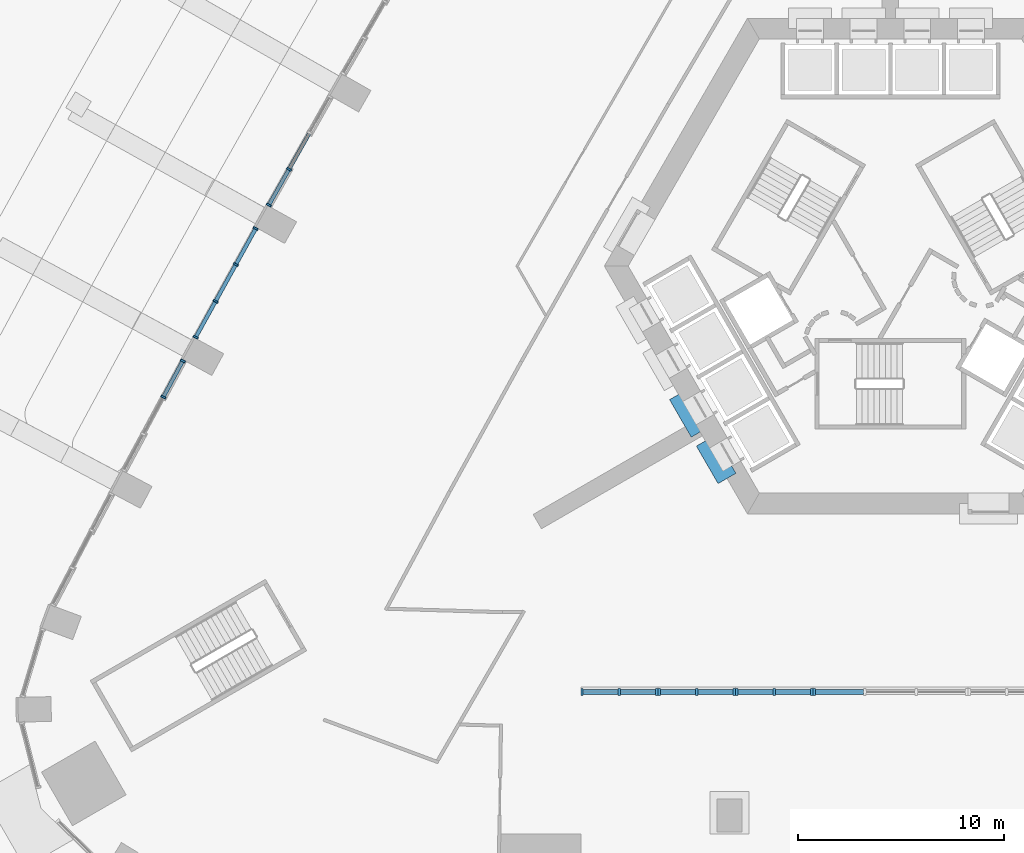
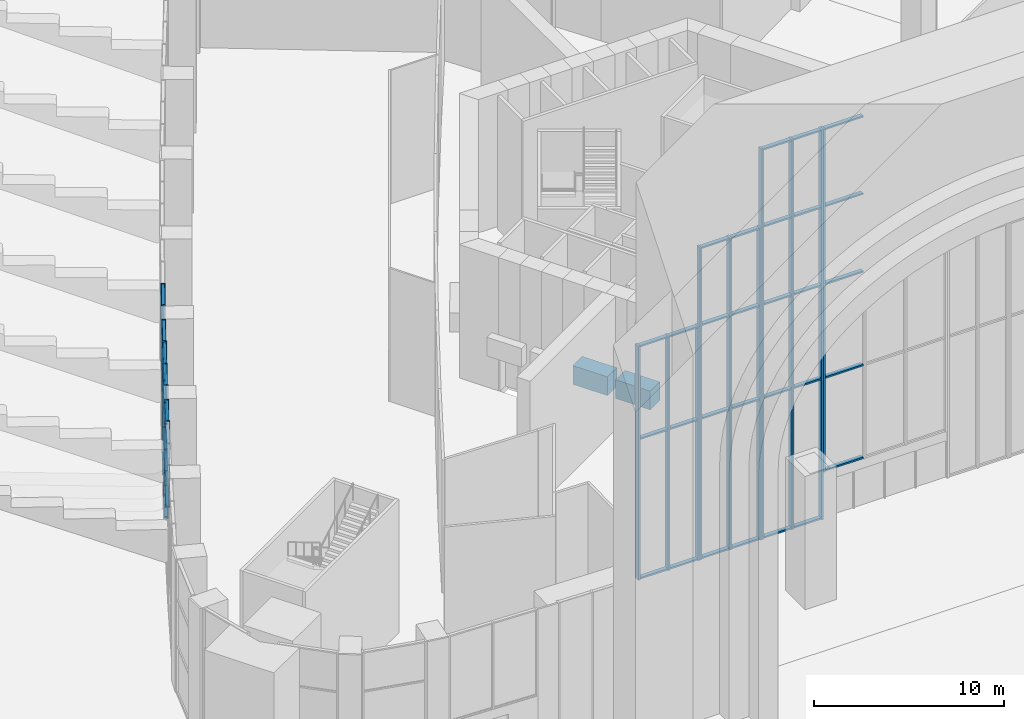
# One storey, part 3 of 36: 64 members, 2 beams, 7 elements without a shape of their own.
"""IFC4 building model written with IfcOpenShell, lengths in metres."""

from ifc_helpers import new_model, si_unit, direction, frame, origin, origin_2d, place, context, subcontext, project, spatial, rectangle, extrude, material, material_profile, profile_set, type_object, element, aggregate, save


model = new_model("IFC4")

# Units and contexts
model_context = context("Model", 3, precision=1e-05, world=origin(), true_north=direction((0.0, 1.0)))
body_context = subcontext(model_context, "Body", "Model", "MODEL_VIEW")
ifc_project = project(units=[si_unit("LENGTHUNIT", "METRE"), si_unit("AREAUNIT", "SQUARE_METRE"), si_unit("VOLUMEUNIT", "CUBIC_METRE"), si_unit("PLANEANGLEUNIT", "RADIAN"), si_unit("MASSUNIT", "GRAM", prefix="KILO")], contexts=[model_context])

# Site, building, storey
site_placement = place(None, origin())
site = spatial("IfcSite", under=ifc_project, at=site_placement, CompositionType="ELEMENT")
building_placement = place(site_placement, origin())
building = spatial("IfcBuilding", under=site, at=building_placement, Name="Entoto Arch Interchange Tower", CompositionType="ELEMENT")
storey_placement = place(building_placement, origin())
storey = spatial("IfcBuildingStorey", under=building, at=storey_placement, Name="L00", CompositionType="ELEMENT", Elevation=0.0)

# Beams
ifc_material_1 = material(Name="Concrete C60/75", Category="concrete")
ifc_material_profile_1 = material_profile(ifc_material_1, rectangle(XDim=1.0, YDim=1.199951171875, at=origin_2d()))
ifc_profile_set_1 = profile_set([ifc_material_profile_1], Name="Concrete C60/75")
beam_type = type_object("IfcBeamType", Name="Coupling beam RC 1000x1200 C60/75", PredefinedType="BEAM", material=ifc_profile_set_1)
for number, where, z_axis, x_axis, name in (
    (1, (-10.26708984375, -3.717041015625, 3.0), (0.500178781653, -0.865922159541, 0.0), (0.865922159541, 0.500178781653, 0.0), "Coupling beam SW L00"),
    (2, (-8.967041015625, -5.968017578125, 3.0), (0.500178781653, -0.865922159541, 0.0), (0.865922159541, 0.500178781653, 0.0), "Coupling beam SW L00"),
):
    element("IfcBeam", number, at=place(storey_placement, frame(where, z_axis=z_axis, x_axis=x_axis)), inside=storey, type_object=beam_type, Name=name, PredefinedType="BEAM", context=body_context, shape_type="SweptSolid", body=[
        extrude(rectangle(XDim=1.0, YDim=1.199951171875, at=origin_2d()), origin(), (0.0, 0.0, 1.0), 2.099365234375),
    ])

# Curtain wall, members
ifc_material_2 = material(Name="Aluminium, anodised", Category="aluminium")
curtain_wall_type_1 = type_object("IfcCurtainWallType", Name="CURTAIN WALL ARCH SCREEN", PredefinedType="NOTDEFINED", material=ifc_material_2)
curtain_wall_1_placement = place(storey_placement, origin())
curtain_wall_1 = element("IfcCurtainWall", 3, at=curtain_wall_1_placement, inside=storey, type_object=curtain_wall_type_1, Name="Arch screen glazing 1", PredefinedType="NOTDEFINED")
ifc_material_profile_2 = material_profile(ifc_material_2, rectangle(XDim=0.35009765625, YDim=0.1201171875, at=origin_2d()))
ifc_profile_set_2 = profile_set([ifc_material_profile_2], Name="Aluminium, anodised")
member_type_1 = type_object("IfcMemberType", Name="MULLION ARCH SCREEN 120x350", PredefinedType="MULLION", material=ifc_profile_set_2)
member_1_placement = place(storey_placement, frame((-14.93994140625, -18.125, 0.0), z_axis=(0.0, 0.0, 1.0), x_axis=(0.0, 1.0, 0.0)))
member_1 = element("IfcMember", 4, at=member_1_placement, type_object=member_type_1, Name="CWR mullion 1", PredefinedType="MULLION", context=body_context, shape_type="SweptSolid", body=[
    extrude(rectangle(XDim=0.35009765625, YDim=0.1201171875, at=origin_2d()), origin(), (0.0, 0.0, 1.0), 15.0),
])
member_2_placement = place(storey_placement, frame((-13.125, -18.125, 0.0), z_axis=(0.0, 0.0, 1.0), x_axis=(0.0, 1.0, 0.0)))
member_2 = element("IfcMember", 5, at=member_2_placement, type_object=member_type_1, Name="CWR mullion 2", PredefinedType="MULLION", context=body_context, shape_type="SweptSolid", body=[
    extrude(rectangle(XDim=0.35009765625, YDim=0.1201171875, at=origin_2d()), origin(), (0.0, 0.0, 1.0), 15.0),
])
member_3_placement = place(storey_placement, frame((-11.31005859375, -18.125, 0.0), z_axis=(0.0, 0.0, 1.0), x_axis=(0.0, 1.0, 0.0)))
member_3 = element("IfcMember", 6, at=member_3_placement, type_object=member_type_1, Name="CWR mullion 3", PredefinedType="MULLION", context=body_context, shape_type="SweptSolid", body=[
    extrude(rectangle(XDim=0.35009765625, YDim=0.1201171875, at=origin_2d()), origin(), (0.0, 0.0, 1.0), 15.0),
])

curtain_wall_2_placement = place(storey_placement, origin())
curtain_wall_2 = element("IfcCurtainWall", 7, at=curtain_wall_2_placement, inside=storey, type_object=curtain_wall_type_1, Name="Arch screen glazing 2", PredefinedType="NOTDEFINED")
member_4_placement = place(storey_placement, frame((-11.18994140625, -18.125, 0.0), z_axis=(0.0, 0.0, 1.0), x_axis=(0.0, 1.0, 0.0)))
member_4 = element("IfcMember", 8, at=member_4_placement, type_object=member_type_1, Name="CWR mullion 1", PredefinedType="MULLION", context=body_context, shape_type="SweptSolid", body=[
    extrude(rectangle(XDim=0.35009765625, YDim=0.1201171875, at=origin_2d()), origin(), (0.0, 0.0, 1.0), 20.0),
])
member_5_placement = place(storey_placement, frame((-9.375, -18.125, 0.0), z_axis=(0.0, 0.0, 1.0), x_axis=(0.0, 1.0, 0.0)))
member_5 = element("IfcMember", 9, at=member_5_placement, type_object=member_type_1, Name="CWR mullion 2", PredefinedType="MULLION", context=body_context, shape_type="SweptSolid", body=[
    extrude(rectangle(XDim=0.35009765625, YDim=0.1201171875, at=origin_2d()), origin(), (0.0, 0.0, 1.0), 20.0),
])
member_6_placement = place(storey_placement, frame((-7.56005859375, -18.125, 0.0), z_axis=(0.0, 0.0, 1.0), x_axis=(0.0, 1.0, 0.0)))
member_6 = element("IfcMember", 10, at=member_6_placement, type_object=member_type_1, Name="CWR mullion 3", PredefinedType="MULLION", context=body_context, shape_type="SweptSolid", body=[
    extrude(rectangle(XDim=0.35009765625, YDim=0.1201171875, at=origin_2d()), origin(), (0.0, 0.0, 1.0), 20.0),
])

curtain_wall_3_placement = place(storey_placement, origin())
curtain_wall_3 = element("IfcCurtainWall", 11, at=curtain_wall_3_placement, inside=storey, type_object=curtain_wall_type_1, Name="Arch screen glazing 3", PredefinedType="NOTDEFINED")
member_7_placement = place(storey_placement, frame((-7.43994140625, -18.125, 0.0), z_axis=(0.0, 0.0, 1.0), x_axis=(0.0, 1.0, 0.0)))
member_7 = element("IfcMember", 12, at=member_7_placement, type_object=member_type_1, Name="CWR mullion 1", PredefinedType="MULLION", context=body_context, shape_type="SweptSolid", body=[
    extrude(rectangle(XDim=0.35009765625, YDim=0.1201171875, at=origin_2d()), origin(), (0.0, 0.0, 1.0), 25.0),
])
member_8_placement = place(storey_placement, frame((-5.625, -18.125, 0.0), z_axis=(0.0, 0.0, 1.0), x_axis=(0.0, 1.0, 0.0)))
member_8 = element("IfcMember", 13, at=member_8_placement, type_object=member_type_1, Name="CWR mullion 2", PredefinedType="MULLION", context=body_context, shape_type="SweptSolid", body=[
    extrude(rectangle(XDim=0.35009765625, YDim=0.1201171875, at=origin_2d()), origin(), (0.0, 0.0, 1.0), 25.0),
])
member_9_placement = place(storey_placement, frame((-3.81005859375, -18.125, 0.0), z_axis=(0.0, 0.0, 1.0), x_axis=(0.0, 1.0, 0.0)))
member_9 = element("IfcMember", 14, at=member_9_placement, type_object=member_type_1, Name="CWR mullion 3", PredefinedType="MULLION", context=body_context, shape_type="SweptSolid", body=[
    extrude(rectangle(XDim=0.35009765625, YDim=0.1201171875, at=origin_2d()), origin(), (0.0, 0.0, 1.0), 25.0),
])

# Curtain wall, member
curtain_wall_4_placement = place(storey_placement, origin())
curtain_wall_4 = element("IfcCurtainWall", 15, at=curtain_wall_4_placement, inside=storey, type_object=curtain_wall_type_1, Name="Arch entrance glazing", PredefinedType="NOTDEFINED")
member_10_placement = place(storey_placement, frame((-3.68994140625, -18.125, 3.0), z_axis=(0.0, 0.0, 1.0), x_axis=(0.0, 1.0, 0.0)))
member_10 = element("IfcMember", 16, at=member_10_placement, type_object=member_type_1, Name="CWR mullion 1", PredefinedType="MULLION", context=body_context, shape_type="SweptSolid", body=[
    extrude(rectangle(XDim=0.35009765625, YDim=0.1201171875, at=origin_2d()), origin(), (0.0, 0.0, 1.0), 22.0),
])

# Curtain wall, members
curtain_wall_type_2 = type_object("IfcCurtainWallType", Name="CURTAIN WALL GATE HALL", PredefinedType="NOTDEFINED", material=ifc_material_2)
curtain_wall_5_placement = place(storey_placement, origin())
curtain_wall_5 = element("IfcCurtainWall", 17, at=curtain_wall_5_placement, inside=storey, type_object=curtain_wall_type_2, Name="Gate Hall glazing NW-06 L00", PredefinedType="NOTDEFINED")
ifc_material_profile_3 = material_profile(ifc_material_2, rectangle(XDim=0.25, YDim=0.10009765625, at=origin_2d()))
ifc_profile_set_3 = profile_set([ifc_material_profile_3], Name="Aluminium, anodised")
member_type_2 = type_object("IfcMemberType", Name="MULLION GATE HALL 100x250", PredefinedType="MULLION", material=ifc_profile_set_3)
member_11_placement = place(storey_placement, frame((-29.12939453125, 7.18896484375, 3.0), z_axis=(0.0, 0.0, 1.0), x_axis=(0.870806252444, -0.491626352735, 0.0)))
member_11 = element("IfcMember", 18, at=member_11_placement, type_object=member_type_2, Name="CWG mullion 3", PredefinedType="MULLION", context=body_context, shape_type="SweptSolid", body=[
    extrude(rectangle(XDim=0.25, YDim=0.10009765625, at=origin_2d()), origin(), (0.0, 0.0, 1.0), 5.550048828125),
])
member_12_placement = place(storey_placement, frame((-30.107421875, 5.45654296875, 3.0), z_axis=(0.0, 0.0, 1.0), x_axis=(0.870806252444, -0.491626352735, 0.0)))
member_12 = element("IfcMember", 19, at=member_12_placement, type_object=member_type_2, Name="CWG mullion 4", PredefinedType="MULLION", context=body_context, shape_type="SweptSolid", body=[
    extrude(rectangle(XDim=0.25, YDim=0.10009765625, at=origin_2d()), origin(), (0.0, 0.0, 1.0), 5.550048828125),
])

curtain_wall_6_placement = place(storey_placement, origin())
curtain_wall_6 = element("IfcCurtainWall", 20, at=curtain_wall_6_placement, inside=storey, type_object=curtain_wall_type_2, Name="Gate Hall glazing NW-07 L00", PredefinedType="NOTDEFINED")
member_13_placement = place(storey_placement, frame((-30.7412109375, 4.3193359375, 0.0), z_axis=(0.0, 0.0, 1.0), x_axis=(0.875472745573, -0.483267495036, 0.0)))
member_13 = element("IfcMember", 21, at=member_13_placement, type_object=member_type_2, Name="CWG mullion 1", PredefinedType="MULLION", context=body_context, shape_type="SweptSolid", body=[
    extrude(rectangle(XDim=0.25, YDim=0.10009765625, at=origin_2d()), origin(), (0.0, 0.0, 1.0), 8.550048828125),
])
member_14_placement = place(storey_placement, frame((-31.702392578125, 2.577880859375, 0.0), z_axis=(0.0, 0.0, 1.0), x_axis=(0.875472745573, -0.483267495036, 0.0)))
member_14 = element("IfcMember", 22, at=member_14_placement, type_object=member_type_2, Name="CWG mullion 2", PredefinedType="MULLION", context=body_context, shape_type="SweptSolid", body=[
    extrude(rectangle(XDim=0.25, YDim=0.10009765625, at=origin_2d()), origin(), (0.0, 0.0, 1.0), 8.550048828125),
])
member_15_placement = place(storey_placement, frame((-32.687744140625, 0.79296875, 0.0), z_axis=(0.0, 0.0, 1.0), x_axis=(0.875472745573, -0.483267495036, 0.0)))
member_15 = element("IfcMember", 23, at=member_15_placement, type_object=member_type_2, Name="CWG mullion 3", PredefinedType="MULLION", context=body_context, shape_type="SweptSolid", body=[
    extrude(rectangle(XDim=0.25, YDim=0.10009765625, at=origin_2d()), origin(), (0.0, 0.0, 1.0), 8.550048828125),
])
member_16_placement = place(storey_placement, frame((-33.64892578125, -0.9482421875, 0.0), z_axis=(0.0, 0.0, 1.0), x_axis=(0.875472745573, -0.483267495036, 0.0)))
member_16 = element("IfcMember", 24, at=member_16_placement, type_object=member_type_2, Name="CWG mullion 4", PredefinedType="MULLION", context=body_context, shape_type="SweptSolid", body=[
    extrude(rectangle(XDim=0.25, YDim=0.10009765625, at=origin_2d()), origin(), (0.0, 0.0, 1.0), 8.550048828125),
])

curtain_wall_7_placement = place(storey_placement, origin())
curtain_wall_7 = element("IfcCurtainWall", 25, at=curtain_wall_7_placement, inside=storey, type_object=curtain_wall_type_2, Name="Gate Hall glazing NW-08 L00", PredefinedType="NOTDEFINED")
member_17_placement = place(storey_placement, frame((-34.272705078125, -2.091064453125, 3.0), z_axis=(0.0, 0.0, 1.0), x_axis=(0.880240049886, -0.474528665706, 0.0)))
member_17 = element("IfcMember", 26, at=member_17_placement, type_object=member_type_2, Name="CWG mullion 1", PredefinedType="MULLION", context=body_context, shape_type="SweptSolid", body=[
    extrude(rectangle(XDim=0.25, YDim=0.10009765625, at=origin_2d()), origin(), (0.0, 0.0, 1.0), 5.550048828125),
])
member_18_placement = place(storey_placement, frame((-35.216552734375, -3.842041015625, 3.0), z_axis=(0.0, 0.0, 1.0), x_axis=(0.880240049886, -0.474528665706, 0.0)))
member_18 = element("IfcMember", 27, at=member_18_placement, type_object=member_type_2, Name="CWG mullion 2", PredefinedType="MULLION", context=body_context, shape_type="SweptSolid", body=[
    extrude(rectangle(XDim=0.25, YDim=0.10009765625, at=origin_2d()), origin(), (0.0, 0.0, 1.0), 5.550048828125),
])

# Member
ifc_material_profile_4 = material_profile(ifc_material_2, rectangle(XDim=0.25, YDim=0.10009765625, at=origin_2d()))
ifc_profile_set_4 = profile_set([ifc_material_profile_4], Name="Aluminium, anodised")
member_type_3 = type_object("IfcMemberType", Name="TRANSOM ARCH SCREEN 100x250", PredefinedType="USERDEFINED", material=ifc_profile_set_4)
member_19_placement = place(storey_placement, frame((-14.8798828125, -18.125, 0.050048828125), z_axis=(1.0, 0.0, 0.0), x_axis=(0.0, 1.0, 0.0)))
member_19 = element("IfcMember", 28, at=member_19_placement, type_object=member_type_3, Name="CWR transom 1.1", ObjectType="TRANSOM", PredefinedType="USERDEFINED", context=body_context, shape_type="SweptSolid", body=[
    extrude(rectangle(XDim=0.25, YDim=0.10009765625, at=origin_2d()), origin(), (0.0, 0.0, 1.0), 1.69482421875),
])

member_20_placement = place(storey_placement, frame((-14.8798828125, -18.125, 9.0), z_axis=(1.0, 0.0, 0.0), x_axis=(0.0, 1.0, 0.0)))
member_20 = element("IfcMember", 29, at=member_20_placement, type_object=member_type_3, Name="CWR transom 1.2", ObjectType="TRANSOM", PredefinedType="USERDEFINED", context=body_context, shape_type="SweptSolid", body=[
    extrude(rectangle(XDim=0.25, YDim=0.10009765625, at=origin_2d()), origin(), (0.0, 0.0, 1.0), 1.69482421875),
])

member_21_placement = place(storey_placement, frame((-14.8798828125, -18.125, 14.949951171875), z_axis=(1.0, 0.0, 0.0), x_axis=(0.0, 1.0, 0.0)))
member_21 = element("IfcMember", 30, at=member_21_placement, type_object=member_type_3, Name="CWR transom 1.3", ObjectType="TRANSOM", PredefinedType="USERDEFINED", context=body_context, shape_type="SweptSolid", body=[
    extrude(rectangle(XDim=0.25, YDim=0.10009765625, at=origin_2d()), origin(), (0.0, 0.0, 1.0), 1.69482421875),
])

member_22_placement = place(storey_placement, frame((-13.06494140625, -18.125, 0.050048828125), z_axis=(1.0, 0.0, 0.0), x_axis=(0.0, 1.0, 0.0)))
member_22 = element("IfcMember", 31, at=member_22_placement, type_object=member_type_3, Name="CWR transom 2.1", ObjectType="TRANSOM", PredefinedType="USERDEFINED", context=body_context, shape_type="SweptSolid", body=[
    extrude(rectangle(XDim=0.25, YDim=0.10009765625, at=origin_2d()), origin(), (0.0, 0.0, 1.0), 1.69482421875),
])

member_23_placement = place(storey_placement, frame((-13.06494140625, -18.125, 9.0), z_axis=(1.0, 0.0, 0.0), x_axis=(0.0, 1.0, 0.0)))
member_23 = element("IfcMember", 32, at=member_23_placement, type_object=member_type_3, Name="CWR transom 2.2", ObjectType="TRANSOM", PredefinedType="USERDEFINED", context=body_context, shape_type="SweptSolid", body=[
    extrude(rectangle(XDim=0.25, YDim=0.10009765625, at=origin_2d()), origin(), (0.0, 0.0, 1.0), 1.69482421875),
])

member_24_placement = place(storey_placement, frame((-13.06494140625, -18.125, 14.949951171875), z_axis=(1.0, 0.0, 0.0), x_axis=(0.0, 1.0, 0.0)))
member_24 = element("IfcMember", 33, at=member_24_placement, type_object=member_type_3, Name="CWR transom 2.3", ObjectType="TRANSOM", PredefinedType="USERDEFINED", context=body_context, shape_type="SweptSolid", body=[
    extrude(rectangle(XDim=0.25, YDim=0.10009765625, at=origin_2d()), origin(), (0.0, 0.0, 1.0), 1.69482421875),
])

aggregate(curtain_wall_1, [member_1, member_2, member_3, member_19, member_20, member_21, member_22, member_23, member_24])

member_25_placement = place(storey_placement, frame((-11.1298828125, -18.125, 0.050048828125), z_axis=(1.0, 0.0, 0.0), x_axis=(0.0, 1.0, 0.0)))
member_25 = element("IfcMember", 34, at=member_25_placement, type_object=member_type_3, Name="CWR transom 1.1", ObjectType="TRANSOM", PredefinedType="USERDEFINED", context=body_context, shape_type="SweptSolid", body=[
    extrude(rectangle(XDim=0.25, YDim=0.10009765625, at=origin_2d()), origin(), (0.0, 0.0, 1.0), 1.69482421875),
])

member_26_placement = place(storey_placement, frame((-11.1298828125, -18.125, 9.0), z_axis=(1.0, 0.0, 0.0), x_axis=(0.0, 1.0, 0.0)))
member_26 = element("IfcMember", 35, at=member_26_placement, type_object=member_type_3, Name="CWR transom 1.2", ObjectType="TRANSOM", PredefinedType="USERDEFINED", context=body_context, shape_type="SweptSolid", body=[
    extrude(rectangle(XDim=0.25, YDim=0.10009765625, at=origin_2d()), origin(), (0.0, 0.0, 1.0), 1.69482421875),
])

member_27_placement = place(storey_placement, frame((-11.1298828125, -18.125, 15.0), z_axis=(1.0, 0.0, 0.0), x_axis=(0.0, 1.0, 0.0)))
member_27 = element("IfcMember", 36, at=member_27_placement, type_object=member_type_3, Name="CWR transom 1.3", ObjectType="TRANSOM", PredefinedType="USERDEFINED", context=body_context, shape_type="SweptSolid", body=[
    extrude(rectangle(XDim=0.25, YDim=0.10009765625, at=origin_2d()), origin(), (0.0, 0.0, 1.0), 1.69482421875),
])

member_28_placement = place(storey_placement, frame((-11.1298828125, -18.125, 19.949951171875), z_axis=(1.0, 0.0, 0.0), x_axis=(0.0, 1.0, 0.0)))
member_28 = element("IfcMember", 37, at=member_28_placement, type_object=member_type_3, Name="CWR transom 1.4", ObjectType="TRANSOM", PredefinedType="USERDEFINED", context=body_context, shape_type="SweptSolid", body=[
    extrude(rectangle(XDim=0.25, YDim=0.10009765625, at=origin_2d()), origin(), (0.0, 0.0, 1.0), 1.69482421875),
])

member_29_placement = place(storey_placement, frame((-9.31494140625, -18.125, 0.050048828125), z_axis=(1.0, 0.0, 0.0), x_axis=(0.0, 1.0, 0.0)))
member_29 = element("IfcMember", 38, at=member_29_placement, type_object=member_type_3, Name="CWR transom 2.1", ObjectType="TRANSOM", PredefinedType="USERDEFINED", context=body_context, shape_type="SweptSolid", body=[
    extrude(rectangle(XDim=0.25, YDim=0.10009765625, at=origin_2d()), origin(), (0.0, 0.0, 1.0), 1.69482421875),
])

member_30_placement = place(storey_placement, frame((-9.31494140625, -18.125, 9.0), z_axis=(1.0, 0.0, 0.0), x_axis=(0.0, 1.0, 0.0)))
member_30 = element("IfcMember", 39, at=member_30_placement, type_object=member_type_3, Name="CWR transom 2.2", ObjectType="TRANSOM", PredefinedType="USERDEFINED", context=body_context, shape_type="SweptSolid", body=[
    extrude(rectangle(XDim=0.25, YDim=0.10009765625, at=origin_2d()), origin(), (0.0, 0.0, 1.0), 1.69482421875),
])

member_31_placement = place(storey_placement, frame((-9.31494140625, -18.125, 15.0), z_axis=(1.0, 0.0, 0.0), x_axis=(0.0, 1.0, 0.0)))
member_31 = element("IfcMember", 40, at=member_31_placement, type_object=member_type_3, Name="CWR transom 2.3", ObjectType="TRANSOM", PredefinedType="USERDEFINED", context=body_context, shape_type="SweptSolid", body=[
    extrude(rectangle(XDim=0.25, YDim=0.10009765625, at=origin_2d()), origin(), (0.0, 0.0, 1.0), 1.69482421875),
])

member_32_placement = place(storey_placement, frame((-9.31494140625, -18.125, 19.949951171875), z_axis=(1.0, 0.0, 0.0), x_axis=(0.0, 1.0, 0.0)))
member_32 = element("IfcMember", 41, at=member_32_placement, type_object=member_type_3, Name="CWR transom 2.4", ObjectType="TRANSOM", PredefinedType="USERDEFINED", context=body_context, shape_type="SweptSolid", body=[
    extrude(rectangle(XDim=0.25, YDim=0.10009765625, at=origin_2d()), origin(), (0.0, 0.0, 1.0), 1.69482421875),
])

aggregate(curtain_wall_2, [member_4, member_5, member_6, member_25, member_26, member_27, member_28, member_29, member_30, member_31, member_32])

member_33_placement = place(storey_placement, frame((-7.3798828125, -18.125, 0.050048828125), z_axis=(1.0, 0.0, 0.0), x_axis=(0.0, 1.0, 0.0)))
member_33 = element("IfcMember", 42, at=member_33_placement, type_object=member_type_3, Name="CWR transom 1.1", ObjectType="TRANSOM", PredefinedType="USERDEFINED", context=body_context, shape_type="SweptSolid", body=[
    extrude(rectangle(XDim=0.25, YDim=0.10009765625, at=origin_2d()), origin(), (0.0, 0.0, 1.0), 1.69482421875),
])

member_34_placement = place(storey_placement, frame((-7.3798828125, -18.125, 9.0), z_axis=(1.0, 0.0, 0.0), x_axis=(0.0, 1.0, 0.0)))
member_34 = element("IfcMember", 43, at=member_34_placement, type_object=member_type_3, Name="CWR transom 1.2", ObjectType="TRANSOM", PredefinedType="USERDEFINED", context=body_context, shape_type="SweptSolid", body=[
    extrude(rectangle(XDim=0.25, YDim=0.10009765625, at=origin_2d()), origin(), (0.0, 0.0, 1.0), 1.69482421875),
])

member_35_placement = place(storey_placement, frame((-7.3798828125, -18.125, 15.0), z_axis=(1.0, 0.0, 0.0), x_axis=(0.0, 1.0, 0.0)))
member_35 = element("IfcMember", 44, at=member_35_placement, type_object=member_type_3, Name="CWR transom 1.3", ObjectType="TRANSOM", PredefinedType="USERDEFINED", context=body_context, shape_type="SweptSolid", body=[
    extrude(rectangle(XDim=0.25, YDim=0.10009765625, at=origin_2d()), origin(), (0.0, 0.0, 1.0), 1.69482421875),
])

member_36_placement = place(storey_placement, frame((-7.3798828125, -18.125, 20.0), z_axis=(1.0, 0.0, 0.0), x_axis=(0.0, 1.0, 0.0)))
member_36 = element("IfcMember", 45, at=member_36_placement, type_object=member_type_3, Name="CWR transom 1.4", ObjectType="TRANSOM", PredefinedType="USERDEFINED", context=body_context, shape_type="SweptSolid", body=[
    extrude(rectangle(XDim=0.25, YDim=0.10009765625, at=origin_2d()), origin(), (0.0, 0.0, 1.0), 1.69482421875),
])

member_37_placement = place(storey_placement, frame((-7.3798828125, -18.125, 24.949951171875), z_axis=(1.0, 0.0, 0.0), x_axis=(0.0, 1.0, 0.0)))
member_37 = element("IfcMember", 46, at=member_37_placement, type_object=member_type_3, Name="CWR transom 1.5", ObjectType="TRANSOM", PredefinedType="USERDEFINED", context=body_context, shape_type="SweptSolid", body=[
    extrude(rectangle(XDim=0.25, YDim=0.10009765625, at=origin_2d()), origin(), (0.0, 0.0, 1.0), 1.69482421875),
])

member_38_placement = place(storey_placement, frame((-5.56494140625, -18.125, 0.050048828125), z_axis=(1.0, 0.0, 0.0), x_axis=(0.0, 1.0, 0.0)))
member_38 = element("IfcMember", 47, at=member_38_placement, type_object=member_type_3, Name="CWR transom 2.1", ObjectType="TRANSOM", PredefinedType="USERDEFINED", context=body_context, shape_type="SweptSolid", body=[
    extrude(rectangle(XDim=0.25, YDim=0.10009765625, at=origin_2d()), origin(), (0.0, 0.0, 1.0), 1.69482421875),
])

member_39_placement = place(storey_placement, frame((-5.56494140625, -18.125, 9.0), z_axis=(1.0, 0.0, 0.0), x_axis=(0.0, 1.0, 0.0)))
member_39 = element("IfcMember", 48, at=member_39_placement, type_object=member_type_3, Name="CWR transom 2.2", ObjectType="TRANSOM", PredefinedType="USERDEFINED", context=body_context, shape_type="SweptSolid", body=[
    extrude(rectangle(XDim=0.25, YDim=0.10009765625, at=origin_2d()), origin(), (0.0, 0.0, 1.0), 1.69482421875),
])

member_40_placement = place(storey_placement, frame((-5.56494140625, -18.125, 15.0), z_axis=(1.0, 0.0, 0.0), x_axis=(0.0, 1.0, 0.0)))
member_40 = element("IfcMember", 49, at=member_40_placement, type_object=member_type_3, Name="CWR transom 2.3", ObjectType="TRANSOM", PredefinedType="USERDEFINED", context=body_context, shape_type="SweptSolid", body=[
    extrude(rectangle(XDim=0.25, YDim=0.10009765625, at=origin_2d()), origin(), (0.0, 0.0, 1.0), 1.69482421875),
])

member_41_placement = place(storey_placement, frame((-5.56494140625, -18.125, 20.0), z_axis=(1.0, 0.0, 0.0), x_axis=(0.0, 1.0, 0.0)))
member_41 = element("IfcMember", 50, at=member_41_placement, type_object=member_type_3, Name="CWR transom 2.4", ObjectType="TRANSOM", PredefinedType="USERDEFINED", context=body_context, shape_type="SweptSolid", body=[
    extrude(rectangle(XDim=0.25, YDim=0.10009765625, at=origin_2d()), origin(), (0.0, 0.0, 1.0), 1.69482421875),
])

member_42_placement = place(storey_placement, frame((-5.56494140625, -18.125, 24.949951171875), z_axis=(1.0, 0.0, 0.0), x_axis=(0.0, 1.0, 0.0)))
member_42 = element("IfcMember", 51, at=member_42_placement, type_object=member_type_3, Name="CWR transom 2.5", ObjectType="TRANSOM", PredefinedType="USERDEFINED", context=body_context, shape_type="SweptSolid", body=[
    extrude(rectangle(XDim=0.25, YDim=0.10009765625, at=origin_2d()), origin(), (0.0, 0.0, 1.0), 1.69482421875),
])

aggregate(curtain_wall_3, [member_7, member_8, member_9, member_33, member_34, member_35, member_36, member_37, member_38, member_39, member_40, member_41, member_42])

member_43_placement = place(storey_placement, frame((-3.6298828125, -18.125, 3.050048828125), z_axis=(1.0, 0.0, 0.0), x_axis=(0.0, 1.0, 0.0)))
member_43 = element("IfcMember", 52, at=member_43_placement, type_object=member_type_3, Name="CWR transom 1.1", ObjectType="TRANSOM", PredefinedType="USERDEFINED", context=body_context, shape_type="SweptSolid", body=[
    extrude(rectangle(XDim=0.25, YDim=0.10009765625, at=origin_2d()), origin(), (0.0, 0.0, 1.0), 2.31982421875),
])

member_44_placement = place(storey_placement, frame((-3.6298828125, -18.125, 9.0), z_axis=(1.0, 0.0, 0.0), x_axis=(0.0, 1.0, 0.0)))
member_44 = element("IfcMember", 53, at=member_44_placement, type_object=member_type_3, Name="CWR transom 1.2", ObjectType="TRANSOM", PredefinedType="USERDEFINED", context=body_context, shape_type="SweptSolid", body=[
    extrude(rectangle(XDim=0.25, YDim=0.10009765625, at=origin_2d()), origin(), (0.0, 0.0, 1.0), 2.31982421875),
])

member_45_placement = place(storey_placement, frame((-3.6298828125, -18.125, 15.0), z_axis=(1.0, 0.0, 0.0), x_axis=(0.0, 1.0, 0.0)))
member_45 = element("IfcMember", 54, at=member_45_placement, type_object=member_type_3, Name="CWR transom 1.3", ObjectType="TRANSOM", PredefinedType="USERDEFINED", context=body_context, shape_type="SweptSolid", body=[
    extrude(rectangle(XDim=0.25, YDim=0.10009765625, at=origin_2d()), origin(), (0.0, 0.0, 1.0), 2.31982421875),
])

member_46_placement = place(storey_placement, frame((-3.6298828125, -18.125, 20.0), z_axis=(1.0, 0.0, 0.0), x_axis=(0.0, 1.0, 0.0)))
member_46 = element("IfcMember", 55, at=member_46_placement, type_object=member_type_3, Name="CWR transom 1.4", ObjectType="TRANSOM", PredefinedType="USERDEFINED", context=body_context, shape_type="SweptSolid", body=[
    extrude(rectangle(XDim=0.25, YDim=0.10009765625, at=origin_2d()), origin(), (0.0, 0.0, 1.0), 2.31982421875),
])

member_47_placement = place(storey_placement, frame((-3.6298828125, -18.125, 24.949951171875), z_axis=(1.0, 0.0, 0.0), x_axis=(0.0, 1.0, 0.0)))
member_47 = element("IfcMember", 56, at=member_47_placement, type_object=member_type_3, Name="CWR transom 1.5", ObjectType="TRANSOM", PredefinedType="USERDEFINED", context=body_context, shape_type="SweptSolid", body=[
    extrude(rectangle(XDim=0.25, YDim=0.10009765625, at=origin_2d()), origin(), (0.0, 0.0, 1.0), 2.31982421875),
])

aggregate(curtain_wall_4, [member_10, member_43, member_44, member_45, member_46, member_47])

ifc_material_profile_5 = material_profile(ifc_material_2, rectangle(XDim=0.179931640625, YDim=0.080078125, at=origin_2d()))
ifc_profile_set_5 = profile_set([ifc_material_profile_5], Name="Aluminium, anodised")
member_type_4 = type_object("IfcMemberType", Name="TRANSOM GATE HALL 80x180", PredefinedType="USERDEFINED", material=ifc_profile_set_5)
member_48_placement = place(storey_placement, frame((-28.1513671875, 8.92138671875, 3.0400390625), z_axis=(-0.491563574302, -0.870841691939, 0.0), x_axis=(0.870841691939, -0.491563574302, 0.0)))
member_48 = element("IfcMember", 57, at=member_48_placement, type_object=member_type_4, Name="CWG transom 2.1", ObjectType="TRANSOM", PredefinedType="USERDEFINED", context=body_context, shape_type="SweptSolid", body=[
    extrude(rectangle(XDim=0.179931640625, YDim=0.080078125, at=origin_2d()), origin(), (0.0, 0.0, 1.0), 1.939453125),
])

member_49_placement = place(storey_placement, frame((-29.15380859375, 7.1455078125, 3.0400390625), z_axis=(-0.491610170814, -0.870815387986, 0.0), x_axis=(0.870815387986, -0.491610170814, 0.0)))
member_49 = element("IfcMember", 58, at=member_49_placement, type_object=member_type_4, Name="CWG transom 3.1", ObjectType="TRANSOM", PredefinedType="USERDEFINED", context=body_context, shape_type="SweptSolid", body=[
    extrude(rectangle(XDim=0.179931640625, YDim=0.080078125, at=origin_2d()), origin(), (0.0, 0.0, 1.0), 1.8896484375),
])

member_50_placement = place(storey_placement, frame((-29.15380859375, 7.1455078125, 8.510009765625), z_axis=(-0.491610170814, -0.870815387986, 0.0), x_axis=(0.870815387986, -0.491610170814, 0.0)))
member_50 = element("IfcMember", 59, at=member_50_placement, type_object=member_type_4, Name="CWG transom 3.2", ObjectType="TRANSOM", PredefinedType="USERDEFINED", context=body_context, shape_type="SweptSolid", body=[
    extrude(rectangle(XDim=0.179931640625, YDim=0.080078125, at=origin_2d()), origin(), (0.0, 0.0, 1.0), 1.8896484375),
])

aggregate(curtain_wall_5, [member_11, member_12, member_48, member_49, member_50])

member_51_placement = place(storey_placement, frame((-30.765380859375, 4.275390625, 0.0400390625), z_axis=(-0.483292599842, -0.875458887063, 0.0), x_axis=(0.875458887063, -0.483292599842, 0.0)))
member_51 = element("IfcMember", 60, at=member_51_placement, type_object=member_type_4, Name="CWG transom 1.1", ObjectType="TRANSOM", PredefinedType="USERDEFINED", context=body_context, shape_type="SweptSolid", body=[
    extrude(rectangle(XDim=0.179931640625, YDim=0.080078125, at=origin_2d()), origin(), (0.0, 0.0, 1.0), 1.888916015625),
])

member_52_placement = place(storey_placement, frame((-30.765380859375, 4.275390625, 3.0), z_axis=(-0.483292599842, -0.875458887063, 0.0), x_axis=(0.875458887063, -0.483292599842, 0.0)))
member_52 = element("IfcMember", 61, at=member_52_placement, type_object=member_type_4, Name="CWG transom 1.2", ObjectType="TRANSOM", PredefinedType="USERDEFINED", context=body_context, shape_type="SweptSolid", body=[
    extrude(rectangle(XDim=0.179931640625, YDim=0.080078125, at=origin_2d()), origin(), (0.0, 0.0, 1.0), 1.888916015625),
])

member_53_placement = place(storey_placement, frame((-30.765380859375, 4.275390625, 6.0), z_axis=(-0.483292599842, -0.875458887063, 0.0), x_axis=(0.875458887063, -0.483292599842, 0.0)))
member_53 = element("IfcMember", 62, at=member_53_placement, type_object=member_type_4, Name="CWG transom 1.3", ObjectType="TRANSOM", PredefinedType="USERDEFINED", context=body_context, shape_type="SweptSolid", body=[
    extrude(rectangle(XDim=0.179931640625, YDim=0.080078125, at=origin_2d()), origin(), (0.0, 0.0, 1.0), 1.888916015625),
])

member_54_placement = place(storey_placement, frame((-30.765380859375, 4.275390625, 8.510009765625), z_axis=(-0.483292599842, -0.875458887063, 0.0), x_axis=(0.875458887063, -0.483292599842, 0.0)))
member_54 = element("IfcMember", 63, at=member_54_placement, type_object=member_type_4, Name="CWG transom 1.4", ObjectType="TRANSOM", PredefinedType="USERDEFINED", context=body_context, shape_type="SweptSolid", body=[
    extrude(rectangle(XDim=0.179931640625, YDim=0.080078125, at=origin_2d()), origin(), (0.0, 0.0, 1.0), 1.888916015625),
])

member_55_placement = place(storey_placement, frame((-31.7265625, 2.5341796875, 0.0400390625), z_axis=(-0.48325707838, -0.875478495564, 0.0), x_axis=(0.875478495564, -0.48325707838, 0.0)))
member_55 = element("IfcMember", 64, at=member_55_placement, type_object=member_type_4, Name="CWG transom 2.1", ObjectType="TRANSOM", PredefinedType="USERDEFINED", context=body_context, shape_type="SweptSolid", body=[
    extrude(rectangle(XDim=0.179931640625, YDim=0.080078125, at=origin_2d()), origin(), (0.0, 0.0, 1.0), 1.93896484375),
])

member_56_placement = place(storey_placement, frame((-31.7265625, 2.5341796875, 3.0), z_axis=(-0.48325707838, -0.875478495564, 0.0), x_axis=(0.875478495564, -0.48325707838, 0.0)))
member_56 = element("IfcMember", 65, at=member_56_placement, type_object=member_type_4, Name="CWG transom 2.2", ObjectType="TRANSOM", PredefinedType="USERDEFINED", context=body_context, shape_type="SweptSolid", body=[
    extrude(rectangle(XDim=0.179931640625, YDim=0.080078125, at=origin_2d()), origin(), (0.0, 0.0, 1.0), 1.93896484375),
])

member_57_placement = place(storey_placement, frame((-31.7265625, 2.5341796875, 6.0), z_axis=(-0.48325707838, -0.875478495564, 0.0), x_axis=(0.875478495564, -0.48325707838, 0.0)))
member_57 = element("IfcMember", 66, at=member_57_placement, type_object=member_type_4, Name="CWG transom 2.3", ObjectType="TRANSOM", PredefinedType="USERDEFINED", context=body_context, shape_type="SweptSolid", body=[
    extrude(rectangle(XDim=0.179931640625, YDim=0.080078125, at=origin_2d()), origin(), (0.0, 0.0, 1.0), 1.93896484375),
])

member_58_placement = place(storey_placement, frame((-31.7265625, 2.5341796875, 8.510009765625), z_axis=(-0.48325707838, -0.875478495564, 0.0), x_axis=(0.875478495564, -0.48325707838, 0.0)))
member_58 = element("IfcMember", 67, at=member_58_placement, type_object=member_type_4, Name="CWG transom 2.4", ObjectType="TRANSOM", PredefinedType="USERDEFINED", context=body_context, shape_type="SweptSolid", body=[
    extrude(rectangle(XDim=0.179931640625, YDim=0.080078125, at=origin_2d()), origin(), (0.0, 0.0, 1.0), 1.93896484375),
])

member_59_placement = place(storey_placement, frame((-32.7119140625, 0.749267578125, 0.0400390625), z_axis=(-0.483237916012, -0.875489072764, 0.0), x_axis=(0.875489072764, -0.483237916012, 0.0)))
member_59 = element("IfcMember", 68, at=member_59_placement, type_object=member_type_4, Name="CWG transom 3.1", ObjectType="TRANSOM", PredefinedType="USERDEFINED", context=body_context, shape_type="SweptSolid", body=[
    extrude(rectangle(XDim=0.179931640625, YDim=0.080078125, at=origin_2d()), origin(), (0.0, 0.0, 1.0), 1.888916015625),
])

member_60_placement = place(storey_placement, frame((-32.7119140625, 0.749267578125, 3.0), z_axis=(-0.483237916012, -0.875489072764, 0.0), x_axis=(0.875489072764, -0.483237916012, 0.0)))
member_60 = element("IfcMember", 69, at=member_60_placement, type_object=member_type_4, Name="CWG transom 3.2", ObjectType="TRANSOM", PredefinedType="USERDEFINED", context=body_context, shape_type="SweptSolid", body=[
    extrude(rectangle(XDim=0.179931640625, YDim=0.080078125, at=origin_2d()), origin(), (0.0, 0.0, 1.0), 1.888916015625),
])

member_61_placement = place(storey_placement, frame((-32.7119140625, 0.749267578125, 6.0), z_axis=(-0.483237916012, -0.875489072764, 0.0), x_axis=(0.875489072764, -0.483237916012, 0.0)))
member_61 = element("IfcMember", 70, at=member_61_placement, type_object=member_type_4, Name="CWG transom 3.3", ObjectType="TRANSOM", PredefinedType="USERDEFINED", context=body_context, shape_type="SweptSolid", body=[
    extrude(rectangle(XDim=0.179931640625, YDim=0.080078125, at=origin_2d()), origin(), (0.0, 0.0, 1.0), 1.888916015625),
])

member_62_placement = place(storey_placement, frame((-32.7119140625, 0.749267578125, 8.510009765625), z_axis=(-0.483237916012, -0.875489072764, 0.0), x_axis=(0.875489072764, -0.483237916012, 0.0)))
member_62 = element("IfcMember", 71, at=member_62_placement, type_object=member_type_4, Name="CWG transom 3.4", ObjectType="TRANSOM", PredefinedType="USERDEFINED", context=body_context, shape_type="SweptSolid", body=[
    extrude(rectangle(XDim=0.179931640625, YDim=0.080078125, at=origin_2d()), origin(), (0.0, 0.0, 1.0), 1.888916015625),
])

aggregate(curtain_wall_6, [member_13, member_14, member_15, member_16, member_51, member_52, member_53, member_54, member_55, member_56, member_57, member_58, member_59, member_60, member_61, member_62])

member_63_placement = place(storey_placement, frame((-34.29638671875, -2.135009765625, 3.0400390625), z_axis=(-0.474500478405, -0.880255244797, 0.0), x_axis=(0.880255244797, -0.474500478405, 0.0)))
member_63 = element("IfcMember", 72, at=member_63_placement, type_object=member_type_4, Name="CWG transom 1.1", ObjectType="TRANSOM", PredefinedType="USERDEFINED", context=body_context, shape_type="SweptSolid", body=[
    extrude(rectangle(XDim=0.179931640625, YDim=0.080078125, at=origin_2d()), origin(), (0.0, 0.0, 1.0), 1.889404296875),
])

member_64_placement = place(storey_placement, frame((-34.29638671875, -2.135009765625, 8.510009765625), z_axis=(-0.474500478405, -0.880255244797, 0.0), x_axis=(0.880255244797, -0.474500478405, 0.0)))
member_64 = element("IfcMember", 73, at=member_64_placement, type_object=member_type_4, Name="CWG transom 1.2", ObjectType="TRANSOM", PredefinedType="USERDEFINED", context=body_context, shape_type="SweptSolid", body=[
    extrude(rectangle(XDim=0.179931640625, YDim=0.080078125, at=origin_2d()), origin(), (0.0, 0.0, 1.0), 1.889404296875),
])

aggregate(curtain_wall_7, [member_17, member_18, member_63, member_64])

save(model, "model.ifc")
